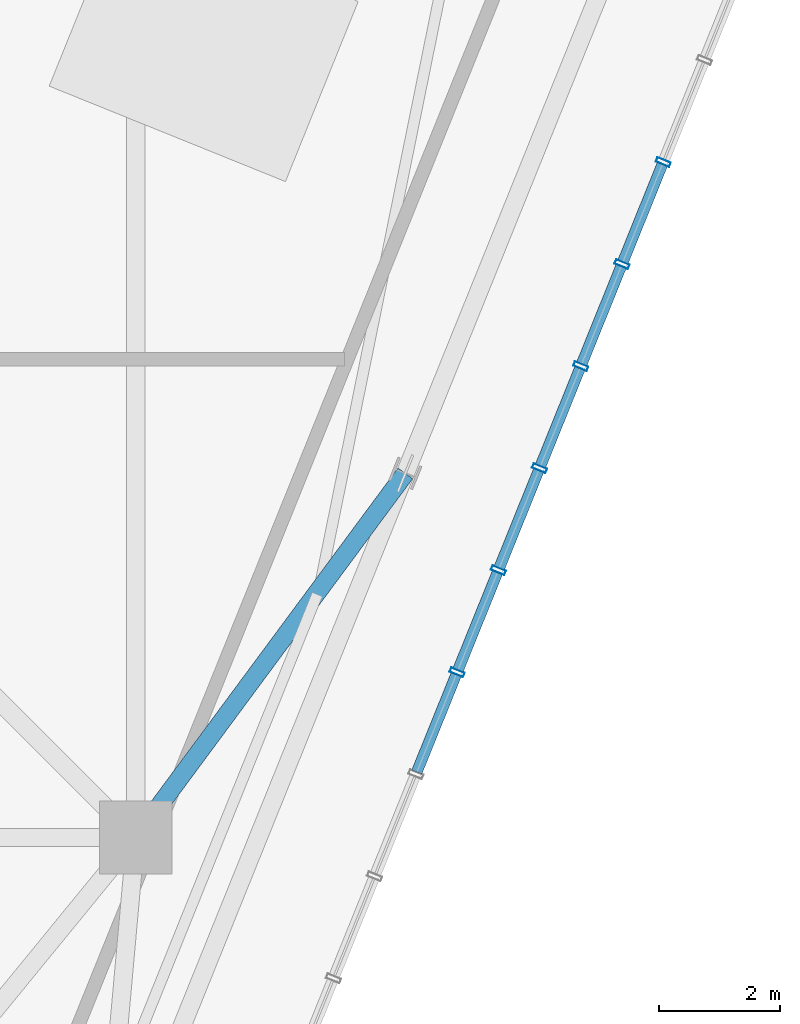
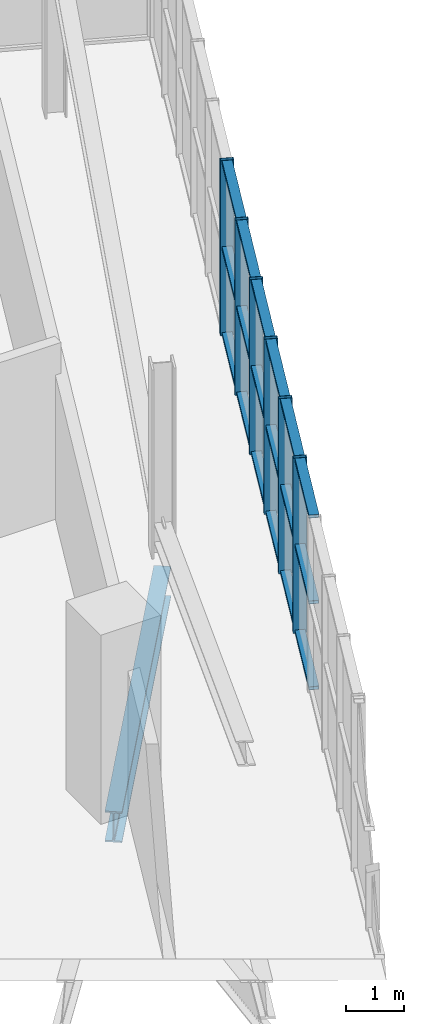
# One storey, part 9 of 26: 24 members, 1 beam, 1 element without a shape of its own.
"""IFC4 building model written with IfcOpenShell, lengths in metres."""

from ifc_helpers import new_model, si_unit, direction, frame, origin, origin_2d, place, context, subcontext, project, spatial, hollow_rectangle, i_section, extrude, source, transform, mapped, material, layer, layer_set, material_profile, profile_set, type_object, element, aggregate, save


model = new_model("IFC4")

# Units and contexts
model_context = context("Model", 3, precision=1e-05, world=origin(), true_north=direction((0.0, 1.0)))
body_context = subcontext(model_context, "Body", "Model", "MODEL_VIEW")
ifc_project = project(units=[si_unit("LENGTHUNIT", "METRE"), si_unit("AREAUNIT", "SQUARE_METRE"), si_unit("VOLUMEUNIT", "CUBIC_METRE"), si_unit("PLANEANGLEUNIT", "RADIAN"), si_unit("MASSUNIT", "GRAM", prefix="KILO"), si_unit("THERMODYNAMICTEMPERATUREUNIT", "KELVIN")], contexts=[model_context])

# Site, building, storey
site_placement = place(None, origin())
site = spatial("IfcSite", under=ifc_project, at=site_placement, CompositionType="ELEMENT")
building_placement = place(site_placement, origin())
building = spatial("IfcBuilding", under=site, at=building_placement, Name="Kosmvard Interchange Tower", CompositionType="ELEMENT")
storey_placement = place(building_placement, frame((0.0, 0.0, 325.60009765625)))
storey = spatial("IfcBuildingStorey", under=building, at=storey_placement, Name="L80", CompositionType="ELEMENT", Elevation=325.60009765625)

# Beam
ifc_material_1 = material(Name="Steel S355", Category="steel")
ifc_material_profile_1 = material_profile(ifc_material_1, i_section(OverallWidth=0.300048828125, OverallDepth=0.64990234375, WebThickness=0.01611328125, FlangeThickness=0.031005859375, FilletRadius=0.027099609375, at=origin_2d()), Name="HEB 650")
ifc_profile_set_1 = profile_set([ifc_material_profile_1], Name="Steel S355")
beam_type = type_object("IfcBeamType", Name="Primary Floor Girder HEB 650 S355", PredefinedType="BEAM", material=ifc_profile_set_1)
shared_shape_1 = source(origin(), body_context, "Body", "SweptSolid", [
    extrude(i_section(OverallWidth=0.300048828125, OverallDepth=0.64990234375, WebThickness=0.01611328125, FlangeThickness=0.031005859375, FilletRadius=0.027099609375, at=origin_2d()), origin(), (0.0, 0.0, 1.0), 7.466552734375),
])
beam_placement = place(storey_placement, frame((13.0810546875, -13.0810546875, -0.625), z_axis=(0.595007793491, 0.803719929879, 0.0), x_axis=(-0.803719929879, 0.595007793491, 0.0)))
element("IfcBeam", 1, at=beam_placement, inside=storey, type_object=beam_type, Name="BM-L80-RD02", PredefinedType="BEAM", context=body_context, shape_type="MappedRepresentation", body=[
    mapped(shared_shape_1, transform((0.0, 0.0, 0.0), scale=1.0)),
])

# Curtain wall, members
ifc_material_2 = material(Name="Architectural anodised aluminium", Category="aluminium")
ifc_layer = layer(ifc_material_2, 0.25, Name="Architectural anodised aluminium")
ifc_layer_set = layer_set([ifc_layer], Name="Architectural anodised aluminium")
curtain_wall_type = type_object("IfcCurtainWallType", Name="CW-6 Illuminated Crown Lantern Curtain Wall", PredefinedType="NOTDEFINED", material=ifc_layer_set)
curtain_wall_placement = place(storey_placement, origin())
curtain_wall = element("IfcCurtainWall", 2, at=curtain_wall_placement, inside=storey, type_object=curtain_wall_type, Name="L80 Crown Lantern Glazing Face 01", PredefinedType="NOTDEFINED")
ifc_material_profile_2 = material_profile(ifc_material_2, hollow_rectangle(XDim=0.239990234375, YDim=0.080078125, WallThickness=0.006103515625, at=origin_2d()), Name="CWM 240x80x6")
ifc_profile_set_2 = profile_set([ifc_material_profile_2], Name="Architectural anodised aluminium")
member_type_1 = type_object("IfcMemberType", Name="Lantern & Observation CW Mullion 240x80 Aluminium", PredefinedType="MULLION", material=ifc_profile_set_2)
shared_shape_2 = source(origin(), body_context, "Body", "SweptSolid", [
    extrude(hollow_rectangle(XDim=0.239990234375, YDim=0.080078125, WallThickness=0.006103515625, at=origin_2d()), origin(), (0.0, 0.0, 1.0), 3.699951171875),
])
member_1_placement = place(storey_placement, frame((18.377197265625, -10.35986328125, 0.0), z_axis=(0.0, 0.0, 1.0), x_axis=(-0.927183858065, 0.374606584758, 0.0)))
member_1 = element("IfcMember", 3, at=member_1_placement, type_object=member_type_1, Name="CW-6 mullion 8", PredefinedType="MULLION", context=body_context, shape_type="MappedRepresentation", body=[
    mapped(shared_shape_2, transform((0.0, 0.0, 0.0), scale=1.0)),
])
member_2_placement = place(storey_placement, frame((19.056884765625, -8.677734375, 0.0), z_axis=(0.0, 0.0, 1.0), x_axis=(-0.927183858065, 0.374606584758, 0.0)))
member_2 = element("IfcMember", 4, at=member_2_placement, type_object=member_type_1, Name="CW-6 mullion 9", PredefinedType="MULLION", context=body_context, shape_type="MappedRepresentation", body=[
    mapped(shared_shape_2, transform((0.0, 0.0, 0.0), scale=1.0)),
])
member_3_placement = place(storey_placement, frame((19.736572265625, -6.995849609375, 0.0), z_axis=(0.0, 0.0, 1.0), x_axis=(-0.927183858065, 0.374606584758, 0.0)))
member_3 = element("IfcMember", 5, at=member_3_placement, type_object=member_type_1, Name="CW-6 mullion 10", PredefinedType="MULLION", context=body_context, shape_type="MappedRepresentation", body=[
    mapped(shared_shape_2, transform((0.0, 0.0, 0.0), scale=1.0)),
])
member_4_placement = place(storey_placement, frame((20.416015625, -5.313720703125, 0.0), z_axis=(0.0, 0.0, 1.0), x_axis=(-0.927183858065, 0.374606584758, 0.0)))
member_4 = element("IfcMember", 6, at=member_4_placement, type_object=member_type_1, Name="CW-6 mullion 11", PredefinedType="MULLION", context=body_context, shape_type="MappedRepresentation", body=[
    mapped(shared_shape_2, transform((0.0, 0.0, 0.0), scale=1.0)),
])
member_5_placement = place(storey_placement, frame((21.095703125, -3.6318359375, 0.0), z_axis=(0.0, 0.0, 1.0), x_axis=(-0.927183858065, 0.374606584758, 0.0)))
member_5 = element("IfcMember", 7, at=member_5_placement, type_object=member_type_1, Name="CW-6 mullion 12", PredefinedType="MULLION", context=body_context, shape_type="MappedRepresentation", body=[
    mapped(shared_shape_2, transform((0.0, 0.0, 0.0), scale=1.0)),
])
member_6_placement = place(storey_placement, frame((21.775146484375, -1.94970703125, 0.0), z_axis=(0.0, 0.0, 1.0), x_axis=(-0.927183858065, 0.374606584758, 0.0)))
member_6 = element("IfcMember", 8, at=member_6_placement, type_object=member_type_1, Name="CW-6 mullion 13", PredefinedType="MULLION", context=body_context, shape_type="MappedRepresentation", body=[
    mapped(shared_shape_2, transform((0.0, 0.0, 0.0), scale=1.0)),
])
ifc_material_profile_3 = material_profile(ifc_material_2, hollow_rectangle(XDim=0.179931640625, YDim=0.070068359375, WallThickness=0.0048828125, at=origin_2d()), Name="CWT 180x70x5")
ifc_profile_set_3 = profile_set([ifc_material_profile_3], Name="Architectural anodised aluminium")
member_type_2 = type_object("IfcMemberType", Name="Heavy Lantern CW Transom 180x70 Aluminium", PredefinedType="USERDEFINED", material=ifc_profile_set_3)
shared_shape_3 = source(origin(), body_context, "Body", "SweptSolid", [
    extrude(hollow_rectangle(XDim=0.179931640625, YDim=0.070068359375, WallThickness=0.0048828125, at=origin_2d()), origin(), (0.0, 0.0, 1.0), 1.734130859375),
])
member_7_placement = place(storey_placement, frame((18.392333984375, -10.32275390625, 0.034912109375), z_axis=(0.374616671924, 0.927179782522, 0.0), x_axis=(-0.927179782522, 0.374616671924, 0.0)))
member_7 = element("IfcMember", 9, at=member_7_placement, type_object=member_type_2, Name="CW-6 transom 8.1", ObjectType="TRANSOM", PredefinedType="USERDEFINED", context=body_context, shape_type="MappedRepresentation", body=[
    mapped(shared_shape_3, transform((0.0, 0.0, 0.0), scale=1.0)),
])
member_8_placement = place(storey_placement, frame((18.392333984375, -10.32275390625, 1.849853515625), z_axis=(0.374616671924, 0.927179782522, 0.0), x_axis=(-0.927179782522, 0.374616671924, 0.0)))
member_8 = element("IfcMember", 10, at=member_8_placement, type_object=member_type_2, Name="CW-6 transom 8.2", ObjectType="TRANSOM", PredefinedType="USERDEFINED", context=body_context, shape_type="MappedRepresentation", body=[
    mapped(shared_shape_3, transform((0.0, 0.0, 0.0), scale=1.0)),
])
member_9_placement = place(storey_placement, frame((18.392333984375, -10.32275390625, 3.664794921875), z_axis=(0.374616671924, 0.927179782522, 0.0), x_axis=(-0.927179782522, 0.374616671924, 0.0)))
member_9 = element("IfcMember", 11, at=member_9_placement, type_object=member_type_2, Name="CW-6 transom 8.3", ObjectType="TRANSOM", PredefinedType="USERDEFINED", context=body_context, shape_type="MappedRepresentation", body=[
    mapped(shared_shape_3, transform((0.0, 0.0, 0.0), scale=1.0)),
])
member_10_placement = place(storey_placement, frame((19.75146484375, -6.958740234375, 0.034912109375), z_axis=(0.374616671924, 0.927179782522, 0.0), x_axis=(-0.927179782522, 0.374616671924, 0.0)))
member_10 = element("IfcMember", 12, at=member_10_placement, type_object=member_type_2, Name="CW-6 transom 10.1", ObjectType="TRANSOM", PredefinedType="USERDEFINED", context=body_context, shape_type="MappedRepresentation", body=[
    mapped(shared_shape_3, transform((0.0, 0.0, 0.0), scale=1.0)),
])
member_11_placement = place(storey_placement, frame((19.75146484375, -6.958740234375, 1.849853515625), z_axis=(0.374616671924, 0.927179782522, 0.0), x_axis=(-0.927179782522, 0.374616671924, 0.0)))
member_11 = element("IfcMember", 13, at=member_11_placement, type_object=member_type_2, Name="CW-6 transom 10.2", ObjectType="TRANSOM", PredefinedType="USERDEFINED", context=body_context, shape_type="MappedRepresentation", body=[
    mapped(shared_shape_3, transform((0.0, 0.0, 0.0), scale=1.0)),
])
member_12_placement = place(storey_placement, frame((19.75146484375, -6.958740234375, 3.664794921875), z_axis=(0.374616671924, 0.927179782522, 0.0), x_axis=(-0.927179782522, 0.374616671924, 0.0)))
member_12 = element("IfcMember", 14, at=member_12_placement, type_object=member_type_2, Name="CW-6 transom 10.3", ObjectType="TRANSOM", PredefinedType="USERDEFINED", context=body_context, shape_type="MappedRepresentation", body=[
    mapped(shared_shape_3, transform((0.0, 0.0, 0.0), scale=1.0)),
])
member_13_placement = place(storey_placement, frame((20.43115234375, -5.276611328125, 0.034912109375), z_axis=(0.374495638732, 0.927228675447, 0.0), x_axis=(-0.927228675447, 0.374495638732, 0.0)))
member_13 = element("IfcMember", 15, at=member_13_placement, type_object=member_type_2, Name="CW-6 transom 11.1", ObjectType="TRANSOM", PredefinedType="USERDEFINED", context=body_context, shape_type="MappedRepresentation", body=[
    mapped(shared_shape_3, transform((0.0, 0.0, 0.0), scale=1.0)),
])
member_14_placement = place(storey_placement, frame((20.43115234375, -5.276611328125, 1.849853515625), z_axis=(0.374495638732, 0.927228675447, 0.0), x_axis=(-0.927228675447, 0.374495638732, 0.0)))
member_14 = element("IfcMember", 16, at=member_14_placement, type_object=member_type_2, Name="CW-6 transom 11.2", ObjectType="TRANSOM", PredefinedType="USERDEFINED", context=body_context, shape_type="MappedRepresentation", body=[
    mapped(shared_shape_3, transform((0.0, 0.0, 0.0), scale=1.0)),
])
member_15_placement = place(storey_placement, frame((20.43115234375, -5.276611328125, 3.664794921875), z_axis=(0.374495638732, 0.927228675447, 0.0), x_axis=(-0.927228675447, 0.374495638732, 0.0)))
member_15 = element("IfcMember", 17, at=member_15_placement, type_object=member_type_2, Name="CW-6 transom 11.3", ObjectType="TRANSOM", PredefinedType="USERDEFINED", context=body_context, shape_type="MappedRepresentation", body=[
    mapped(shared_shape_3, transform((0.0, 0.0, 0.0), scale=1.0)),
])
member_16_placement = place(storey_placement, frame((21.110595703125, -3.5947265625, 0.034912109375), z_axis=(0.374616671924, 0.927179782522, 0.0), x_axis=(-0.927179782522, 0.374616671924, 0.0)))
member_16 = element("IfcMember", 18, at=member_16_placement, type_object=member_type_2, Name="CW-6 transom 12.1", ObjectType="TRANSOM", PredefinedType="USERDEFINED", context=body_context, shape_type="MappedRepresentation", body=[
    mapped(shared_shape_3, transform((0.0, 0.0, 0.0), scale=1.0)),
])
member_17_placement = place(storey_placement, frame((21.110595703125, -3.5947265625, 1.849853515625), z_axis=(0.374616671924, 0.927179782522, 0.0), x_axis=(-0.927179782522, 0.374616671924, 0.0)))
member_17 = element("IfcMember", 19, at=member_17_placement, type_object=member_type_2, Name="CW-6 transom 12.2", ObjectType="TRANSOM", PredefinedType="USERDEFINED", context=body_context, shape_type="MappedRepresentation", body=[
    mapped(shared_shape_3, transform((0.0, 0.0, 0.0), scale=1.0)),
])
member_18_placement = place(storey_placement, frame((21.110595703125, -3.5947265625, 3.664794921875), z_axis=(0.374616671924, 0.927179782522, 0.0), x_axis=(-0.927179782522, 0.374616671924, 0.0)))
member_18 = element("IfcMember", 20, at=member_18_placement, type_object=member_type_2, Name="CW-6 transom 12.3", ObjectType="TRANSOM", PredefinedType="USERDEFINED", context=body_context, shape_type="MappedRepresentation", body=[
    mapped(shared_shape_3, transform((0.0, 0.0, 0.0), scale=1.0)),
])
shared_shape_4 = source(origin(), body_context, "Body", "SweptSolid", [
    extrude(hollow_rectangle(XDim=0.179931640625, YDim=0.070068359375, WallThickness=0.0048828125, at=origin_2d()), origin(), (0.0, 0.0, 1.0), 1.73388671875),
])
member_19_placement = place(storey_placement, frame((17.712646484375, -12.004638671875, 0.034912109375), z_axis=(0.374665576032, 0.927160021861, 0.0), x_axis=(-0.927160021861, 0.374665576032, 0.0)))
member_19 = element("IfcMember", 21, at=member_19_placement, type_object=member_type_2, Name="CW-6 transom 7.1", ObjectType="TRANSOM", PredefinedType="USERDEFINED", context=body_context, shape_type="MappedRepresentation", body=[
    mapped(shared_shape_4, transform((0.0, 0.0, 0.0), scale=1.0)),
])
member_20_placement = place(storey_placement, frame((17.712646484375, -12.004638671875, 1.849853515625), z_axis=(0.374665576032, 0.927160021861, 0.0), x_axis=(-0.927160021861, 0.374665576032, 0.0)))
member_20 = element("IfcMember", 22, at=member_20_placement, type_object=member_type_2, Name="CW-6 transom 7.2", ObjectType="TRANSOM", PredefinedType="USERDEFINED", context=body_context, shape_type="MappedRepresentation", body=[
    mapped(shared_shape_4, transform((0.0, 0.0, 0.0), scale=1.0)),
])
member_21_placement = place(storey_placement, frame((17.712646484375, -12.004638671875, 3.664794921875), z_axis=(0.374665576032, 0.927160021861, 0.0), x_axis=(-0.927160021861, 0.374665576032, 0.0)))
member_21 = element("IfcMember", 23, at=member_21_placement, type_object=member_type_2, Name="CW-6 transom 7.3", ObjectType="TRANSOM", PredefinedType="USERDEFINED", context=body_context, shape_type="MappedRepresentation", body=[
    mapped(shared_shape_4, transform((0.0, 0.0, 0.0), scale=1.0)),
])
member_22_placement = place(storey_placement, frame((19.07177734375, -8.640625, 0.034912109375), z_axis=(0.374665576032, 0.927160021861, 0.0), x_axis=(-0.927160021861, 0.374665576032, 0.0)))
member_22 = element("IfcMember", 24, at=member_22_placement, type_object=member_type_2, Name="CW-6 transom 9.1", ObjectType="TRANSOM", PredefinedType="USERDEFINED", context=body_context, shape_type="MappedRepresentation", body=[
    mapped(shared_shape_4, transform((0.0, 0.0, 0.0), scale=1.0)),
])
member_23_placement = place(storey_placement, frame((19.07177734375, -8.640625, 1.849853515625), z_axis=(0.374665576032, 0.927160021861, 0.0), x_axis=(-0.927160021861, 0.374665576032, 0.0)))
member_23 = element("IfcMember", 25, at=member_23_placement, type_object=member_type_2, Name="CW-6 transom 9.2", ObjectType="TRANSOM", PredefinedType="USERDEFINED", context=body_context, shape_type="MappedRepresentation", body=[
    mapped(shared_shape_4, transform((0.0, 0.0, 0.0), scale=1.0)),
])
member_24_placement = place(storey_placement, frame((19.07177734375, -8.640625, 3.664794921875), z_axis=(0.374665576032, 0.927160021861, 0.0), x_axis=(-0.927160021861, 0.374665576032, 0.0)))
member_24 = element("IfcMember", 26, at=member_24_placement, type_object=member_type_2, Name="CW-6 transom 9.3", ObjectType="TRANSOM", PredefinedType="USERDEFINED", context=body_context, shape_type="MappedRepresentation", body=[
    mapped(shared_shape_4, transform((0.0, 0.0, 0.0), scale=1.0)),
])
aggregate(curtain_wall, [member_1, member_2, member_3, member_4, member_5, member_6, member_19, member_20, member_21, member_7, member_8, member_9, member_22, member_23, member_24, member_10, member_11, member_12, member_13, member_14, member_15, member_16, member_17, member_18])

save(model, "model.ifc")
